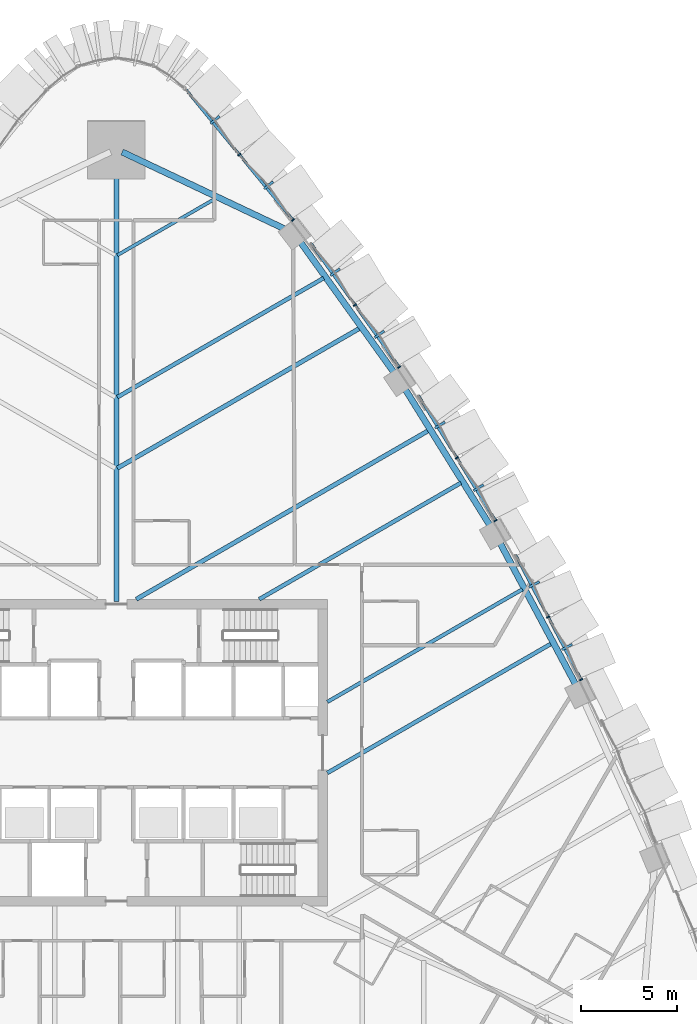
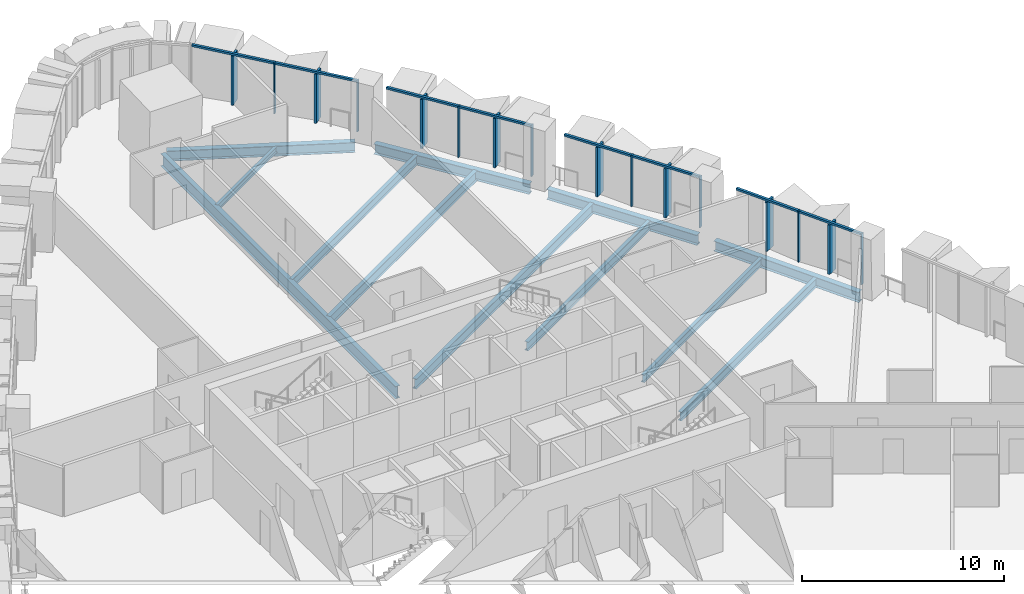
# One storey, part 7 of 27: 24 members, 12 beams, 4 elements without a shape of their own.
"""IFC4 building model written with IfcOpenShell, lengths in metres."""

from ifc_helpers import new_model, si_unit, direction, frame, origin, origin_2d, place, context, subcontext, project, spatial, rectangle, i_section, extrude, material, layer, layer_set, material_profile, profile_set, type_object, element, aggregate, save


model = new_model("IFC4")

# Units and contexts
model_context = context("Model", 3, precision=1e-05, world=origin(), true_north=direction((0.0, 1.0)))
body_context = subcontext(model_context, "Body", "Model", "MODEL_VIEW")
ifc_project = project(units=[si_unit("LENGTHUNIT", "METRE"), si_unit("AREAUNIT", "SQUARE_METRE"), si_unit("VOLUMEUNIT", "CUBIC_METRE"), si_unit("PLANEANGLEUNIT", "RADIAN"), si_unit("MASSUNIT", "GRAM", prefix="KILO")], contexts=[model_context])

# Site, building, storey
site_placement = place(None, origin())
site = spatial("IfcSite", under=ifc_project, at=site_placement, CompositionType="ELEMENT")
building_placement = place(site_placement, origin())
building = spatial("IfcBuilding", under=site, at=building_placement, Name="Sierra Prisma Convention Tower", CompositionType="ELEMENT")
storey_placement = place(building_placement, frame((0.0, 0.0, 48.0)))
storey = spatial("IfcBuildingStorey", under=building, at=storey_placement, Name="L07", CompositionType="ELEMENT", Elevation=48.0)

# Curtain wall, members
ifc_material_1 = material(Name="Aluminium and glass curtain wall", Category="aluminium")
ifc_layer = layer(ifc_material_1, 0.179931640625)
ifc_layer_set = layer_set([ifc_layer], Name="CW-2 Faceted crystal curtain wall")
curtain_wall_type = type_object("IfcCurtainWallType", Name="CW-2 Faceted crystal curtain wall", PredefinedType="NOTDEFINED", material=ifc_layer_set)
curtain_wall_1_placement = place(storey_placement, origin())
curtain_wall_1 = element("IfcCurtainWall", 1, at=curtain_wall_1_placement, inside=storey, type_object=curtain_wall_type, Name="CW-2 NE3 L07", PredefinedType="NOTDEFINED")
ifc_material_2 = material(Name="Aluminium 6063-T6 bronze anodised", Category="aluminium")
ifc_material_profile_1 = material_profile(ifc_material_2, rectangle(XDim=0.1201171875, YDim=0.60009765625, at=origin_2d()), Name="ALU RIDGE BLADE 120x600")
ifc_profile_set_1 = profile_set([ifc_material_profile_1], Name="Aluminium 6063-T6 bronze anodised")
member_type_1 = type_object("IfcMemberType", Name="CW hip bronze", PredefinedType="MULLION", material=ifc_profile_set_1)
member_1_placement = place(storey_placement, frame((23.49267578125, 5.51123046875, 0.0), z_axis=(0.0, 0.0, 1.0), x_axis=(-0.465430337346, 0.885084516347, 0.0)))
member_1 = element("IfcMember", 2, at=member_1_placement, type_object=member_type_1, Name="CW-2 ridge NE3.1", PredefinedType="MULLION", context=body_context, shape_type="SweptSolid", body=[
    extrude(rectangle(XDim=0.1201171875, YDim=0.60009765625, at=origin_2d()), origin(), (0.0, 0.0, 1.0), 2.97998046875),
])
member_2_placement = place(storey_placement, frame((21.777587890625, 8.77294921875, 0.0), z_axis=(0.0, 0.0, 1.0), x_axis=(-0.465430337346, 0.885084516347, 0.0)))
member_2 = element("IfcMember", 3, at=member_2_placement, type_object=member_type_1, Name="CW-2 ridge NE3.2", PredefinedType="MULLION", context=body_context, shape_type="SweptSolid", body=[
    extrude(rectangle(XDim=0.1201171875, YDim=0.60009765625, at=origin_2d()), origin(), (0.0, 0.0, 1.0), 2.97998046875),
])

curtain_wall_2_placement = place(storey_placement, origin())
curtain_wall_2 = element("IfcCurtainWall", 4, at=curtain_wall_2_placement, inside=storey, type_object=curtain_wall_type, Name="CW-2 NE4 L07", PredefinedType="NOTDEFINED")
member_3_placement = place(storey_placement, frame((18.8798828125, 13.81201171875, 0.0), z_axis=(0.0, 0.0, 1.0), x_axis=(-0.524223199508, 0.851580904611, 0.0)))
member_3 = element("IfcMember", 5, at=member_3_placement, type_object=member_type_1, Name="CW-2 ridge NE4.1", PredefinedType="MULLION", context=body_context, shape_type="SweptSolid", body=[
    extrude(rectangle(XDim=0.1201171875, YDim=0.60009765625, at=origin_2d()), origin(), (0.0, 0.0, 1.0), 2.97998046875),
])
member_4_placement = place(storey_placement, frame((16.8671875, 17.081298828125, 0.0), z_axis=(0.0, 0.0, 1.0), x_axis=(-0.524223199508, 0.851580904611, 0.0)))
member_4 = element("IfcMember", 6, at=member_4_placement, type_object=member_type_1, Name="CW-2 ridge NE4.2", PredefinedType="MULLION", context=body_context, shape_type="SweptSolid", body=[
    extrude(rectangle(XDim=0.1201171875, YDim=0.60009765625, at=origin_2d()), origin(), (0.0, 0.0, 1.0), 2.97998046875),
])

curtain_wall_3_placement = place(storey_placement, origin())
curtain_wall_3 = element("IfcCurtainWall", 7, at=curtain_wall_3_placement, inside=storey, type_object=curtain_wall_type, Name="CW-2 NE5 L07", PredefinedType="NOTDEFINED")
member_5_placement = place(storey_placement, frame((13.71337890625, 21.811279296875, 0.0), z_axis=(0.0, 0.0, 1.0), x_axis=(-0.580615595089, 0.814177825011, 0.0)))
member_5 = element("IfcMember", 8, at=member_5_placement, type_object=member_type_1, Name="CW-2 ridge NE5.1", PredefinedType="MULLION", context=body_context, shape_type="SweptSolid", body=[
    extrude(rectangle(XDim=0.1201171875, YDim=0.60009765625, at=origin_2d()), origin(), (0.0, 0.0, 1.0), 2.97998046875),
])
member_6_placement = place(storey_placement, frame((11.40478515625, 25.048583984375, 0.0), z_axis=(0.0, 0.0, 1.0), x_axis=(-0.580615595089, 0.814177825011, 0.0)))
member_6 = element("IfcMember", 9, at=member_6_placement, type_object=member_type_1, Name="CW-2 ridge NE5.2", PredefinedType="MULLION", context=body_context, shape_type="SweptSolid", body=[
    extrude(rectangle(XDim=0.1201171875, YDim=0.60009765625, at=origin_2d()), origin(), (0.0, 0.0, 1.0), 2.97998046875),
])

curtain_wall_4_placement = place(storey_placement, origin())
curtain_wall_4 = element("IfcCurtainWall", 10, at=curtain_wall_4_placement, inside=storey, type_object=curtain_wall_type, Name="CW-2 NE6 L07", PredefinedType="NOTDEFINED")
member_7_placement = place(storey_placement, frame((7.93896484375, 29.5791015625, 0.0), z_axis=(0.0, 0.0, 1.0), x_axis=(-0.634349298057, 0.773046549733, 0.0)))
member_7 = element("IfcMember", 11, at=member_7_placement, type_object=member_type_1, Name="CW-2 ridge NE6.1", PredefinedType="MULLION", context=body_context, shape_type="SweptSolid", body=[
    extrude(rectangle(XDim=0.1201171875, YDim=0.60009765625, at=origin_2d()), origin(), (0.0, 0.0, 1.0), 2.97998046875),
])
member_8_placement = place(storey_placement, frame((5.14208984375, 32.98779296875, 0.0), z_axis=(0.0, 0.0, 1.0), x_axis=(-0.634349298057, 0.773046549733, 0.0)))
member_8 = element("IfcMember", 12, at=member_8_placement, type_object=member_type_1, Name="CW-2 ridge NE6.2", PredefinedType="MULLION", context=body_context, shape_type="SweptSolid", body=[
    extrude(rectangle(XDim=0.1201171875, YDim=0.60009765625, at=origin_2d()), origin(), (0.0, 0.0, 1.0), 2.97998046875),
])

# Member
ifc_material_3 = material(Name="Aluminium 6063-T6 bronze anodised", Category="aluminium")
ifc_material_profile_2 = material_profile(ifc_material_3, rectangle(XDim=0.179931640625, YDim=0.070068359375, at=origin_2d()), Name="ALU MULLION 70x180")
ifc_profile_set_2 = profile_set([ifc_material_profile_2], Name="Aluminium 6063-T6 bronze anodised")
member_type_2 = type_object("IfcMemberType", Name="CW mullion bronze", PredefinedType="MULLION", material=ifc_profile_set_2)
member_9_placement = place(storey_placement, frame((24.224365234375, 3.814208984375, 0.0), z_axis=(0.0, 0.0, 1.0), x_axis=(-0.885084516347, -0.465430337346, 0.0)))
member_9 = element("IfcMember", 13, at=member_9_placement, type_object=member_type_2, Name="CW-1 mullion NE3.1", PredefinedType="MULLION", context=body_context, shape_type="SweptSolid", body=[
    extrude(rectangle(XDim=0.179931640625, YDim=0.070068359375, at=origin_2d()), origin(), (0.0, 0.0, 1.0), 3.10009765625),
])

member_10_placement = place(storey_placement, frame((22.50927734375, 7.075927734375, 0.0), z_axis=(0.0, 0.0, 1.0), x_axis=(-0.885084516347, -0.465430337346, 0.0)))
member_10 = element("IfcMember", 14, at=member_10_placement, type_object=member_type_2, Name="CW-1 mullion NE3.2", PredefinedType="MULLION", context=body_context, shape_type="SweptSolid", body=[
    extrude(rectangle(XDim=0.179931640625, YDim=0.070068359375, at=origin_2d()), origin(), (0.0, 0.0, 1.0), 3.10009765625),
])

member_11_placement = place(storey_placement, frame((19.759765625, 12.099609375, 0.0), z_axis=(0.0, 0.0, 1.0), x_axis=(-0.851580904611, -0.524223199508, 0.0)))
member_11 = element("IfcMember", 15, at=member_11_placement, type_object=member_type_2, Name="CW-1 mullion NE4.1", PredefinedType="MULLION", context=body_context, shape_type="SweptSolid", body=[
    extrude(rectangle(XDim=0.179931640625, YDim=0.070068359375, at=origin_2d()), origin(), (0.0, 0.0, 1.0), 3.10009765625),
])

member_12_placement = place(storey_placement, frame((17.747314453125, 15.368896484375, 0.0), z_axis=(0.0, 0.0, 1.0), x_axis=(-0.851580904611, -0.524223199508, 0.0)))
member_12 = element("IfcMember", 16, at=member_12_placement, type_object=member_type_2, Name="CW-1 mullion NE4.2", PredefinedType="MULLION", context=body_context, shape_type="SweptSolid", body=[
    extrude(rectangle(XDim=0.179931640625, YDim=0.070068359375, at=origin_2d()), origin(), (0.0, 0.0, 1.0), 3.10009765625),
])

member_13_placement = place(storey_placement, frame((14.742431640625, 20.103515625, 0.0), z_axis=(0.0, 0.0, 1.0), x_axis=(-0.814177825011, -0.580615595089, 0.0)))
member_13 = element("IfcMember", 17, at=member_13_placement, type_object=member_type_2, Name="CW-1 mullion NE5.1", PredefinedType="MULLION", context=body_context, shape_type="SweptSolid", body=[
    extrude(rectangle(XDim=0.179931640625, YDim=0.070068359375, at=origin_2d()), origin(), (0.0, 0.0, 1.0), 3.10009765625),
])

member_14_placement = place(storey_placement, frame((12.43408203125, 23.340576171875, 0.0), z_axis=(0.0, 0.0, 1.0), x_axis=(-0.814177825011, -0.580615595089, 0.0)))
member_14 = element("IfcMember", 18, at=member_14_placement, type_object=member_type_2, Name="CW-1 mullion NE5.2", PredefinedType="MULLION", context=body_context, shape_type="SweptSolid", body=[
    extrude(rectangle(XDim=0.179931640625, YDim=0.070068359375, at=origin_2d()), origin(), (0.0, 0.0, 1.0), 3.10009765625),
])

member_15_placement = place(storey_placement, frame((9.20556640625, 27.7666015625, 0.0), z_axis=(0.0, 0.0, 1.0), x_axis=(-0.773046549733, -0.634349298057, 0.0)))
member_15 = element("IfcMember", 19, at=member_15_placement, type_object=member_type_2, Name="CW-1 mullion NE6.1", PredefinedType="MULLION", context=body_context, shape_type="SweptSolid", body=[
    extrude(rectangle(XDim=0.179931640625, YDim=0.070068359375, at=origin_2d()), origin(), (0.0, 0.0, 1.0), 3.10009765625),
])

member_16_placement = place(storey_placement, frame((6.408447265625, 31.175048828125, 0.0), z_axis=(0.0, 0.0, 1.0), x_axis=(-0.773046549733, -0.634349298057, 0.0)))
member_16 = element("IfcMember", 20, at=member_16_placement, type_object=member_type_2, Name="CW-1 mullion NE6.2", PredefinedType="MULLION", context=body_context, shape_type="SweptSolid", body=[
    extrude(rectangle(XDim=0.179931640625, YDim=0.070068359375, at=origin_2d()), origin(), (0.0, 0.0, 1.0), 3.10009765625),
])

ifc_material_4 = material(Name="Aluminium 6063-T6 bronze anodised", Category="aluminium")
ifc_material_profile_3 = material_profile(ifc_material_4, rectangle(XDim=0.139892578125, YDim=0.1201171875, at=origin_2d()), Name="ALU TRANSOM 120x140")
ifc_profile_set_3 = profile_set([ifc_material_profile_3], Name="Aluminium 6063-T6 bronze anodised")
member_type_3 = type_object("IfcMemberType", Name="CW transom bronze", PredefinedType="USERDEFINED", material=ifc_profile_set_3)
member_17_placement = place(storey_placement, frame((24.2080078125, 3.84521484375, 3.0400390625), z_axis=(-0.465434669943, 0.885082237996, 0.0), x_axis=(-0.885082237996, -0.465434669943, 0.0)))
member_17 = element("IfcMember", 21, at=member_17_placement, type_object=member_type_3, Name="CW-1 transom NE3.1", ObjectType="TRANSOM", PredefinedType="USERDEFINED", context=body_context, shape_type="SweptSolid", body=[
    extrude(rectangle(XDim=0.139892578125, YDim=0.1201171875, at=origin_2d()), origin(), (0.0, 0.0, 1.0), 3.615234375),
])

member_18_placement = place(storey_placement, frame((22.492919921875, 7.10693359375, 3.0400390625), z_axis=(-0.465434669943, 0.885082237996, 0.0), x_axis=(-0.885082237996, -0.465434669943, 0.0)))
member_18 = element("IfcMember", 22, at=member_18_placement, type_object=member_type_3, Name="CW-1 transom NE3.2", ObjectType="TRANSOM", PredefinedType="USERDEFINED", context=body_context, shape_type="SweptSolid", body=[
    extrude(rectangle(XDim=0.139892578125, YDim=0.1201171875, at=origin_2d()), origin(), (0.0, 0.0, 1.0), 3.615234375),
])

aggregate(curtain_wall_1, [member_9, member_10, member_17, member_1, member_18, member_2])

member_19_placement = place(storey_placement, frame((19.741455078125, 12.12939453125, 3.0400390625), z_axis=(-0.524216682685, 0.851584916256, 0.0), x_axis=(-0.851584916256, -0.524216682685, 0.0)))
member_19 = element("IfcMember", 23, at=member_19_placement, type_object=member_type_3, Name="CW-1 transom NE4.1", ObjectType="TRANSOM", PredefinedType="USERDEFINED", context=body_context, shape_type="SweptSolid", body=[
    extrude(rectangle(XDim=0.139892578125, YDim=0.1201171875, at=origin_2d()), origin(), (0.0, 0.0, 1.0), 3.76904296875),
])

member_20_placement = place(storey_placement, frame((17.728759765625, 15.398681640625, 3.0400390625), z_axis=(-0.524216682685, 0.851584916256, 0.0), x_axis=(-0.851584916256, -0.524216682685, 0.0)))
member_20 = element("IfcMember", 24, at=member_20_placement, type_object=member_type_3, Name="CW-1 transom NE4.2", ObjectType="TRANSOM", PredefinedType="USERDEFINED", context=body_context, shape_type="SweptSolid", body=[
    extrude(rectangle(XDim=0.139892578125, YDim=0.1201171875, at=origin_2d()), origin(), (0.0, 0.0, 1.0), 3.76904296875),
])

aggregate(curtain_wall_2, [member_11, member_12, member_19, member_3, member_20, member_4])

member_21_placement = place(storey_placement, frame((14.72216796875, 20.132080078125, 3.0400390625), z_axis=(-0.580605369991, 0.814185116751, 0.0), x_axis=(-0.814185116751, -0.580605369991, 0.0)))
member_21 = element("IfcMember", 25, at=member_21_placement, type_object=member_type_3, Name="CW-1 transom NE5.1", ObjectType="TRANSOM", PredefinedType="USERDEFINED", context=body_context, shape_type="SweptSolid", body=[
    extrude(rectangle(XDim=0.139892578125, YDim=0.1201171875, at=origin_2d()), origin(), (0.0, 0.0, 1.0), 3.906005859375),
])

member_22_placement = place(storey_placement, frame((12.41357421875, 23.369140625, 3.0400390625), z_axis=(-0.580605369991, 0.814185116751, 0.0), x_axis=(-0.814185116751, -0.580605369991, 0.0)))
member_22 = element("IfcMember", 26, at=member_22_placement, type_object=member_type_3, Name="CW-1 transom NE5.2", ObjectType="TRANSOM", PredefinedType="USERDEFINED", context=body_context, shape_type="SweptSolid", body=[
    extrude(rectangle(XDim=0.139892578125, YDim=0.1201171875, at=origin_2d()), origin(), (0.0, 0.0, 1.0), 3.906005859375),
])

aggregate(curtain_wall_3, [member_13, member_14, member_21, member_5, member_22, member_6])

member_23_placement = place(storey_placement, frame((9.183349609375, 27.793701171875, 3.0400390625), z_axis=(-0.63435540853, 0.773041535539, 0.0), x_axis=(-0.773041535539, -0.63435540853, 0.0)))
member_23 = element("IfcMember", 27, at=member_23_placement, type_object=member_type_3, Name="CW-1 transom NE6.1", ObjectType="TRANSOM", PredefinedType="USERDEFINED", context=body_context, shape_type="SweptSolid", body=[
    extrude(rectangle(XDim=0.139892578125, YDim=0.1201171875, at=origin_2d()), origin(), (0.0, 0.0, 1.0), 4.33935546875),
])

member_24_placement = place(storey_placement, frame((6.38623046875, 31.2021484375, 3.0400390625), z_axis=(-0.634321784869, 0.773069125784, 0.0), x_axis=(-0.773069125784, -0.634321784869, 0.0)))
member_24 = element("IfcMember", 28, at=member_24_placement, type_object=member_type_3, Name="CW-1 transom NE6.2", ObjectType="TRANSOM", PredefinedType="USERDEFINED", context=body_context, shape_type="SweptSolid", body=[
    extrude(rectangle(XDim=0.139892578125, YDim=0.1201171875, at=origin_2d()), origin(), (0.0, 0.0, 1.0), 4.339111328125),
])

aggregate(curtain_wall_4, [member_15, member_16, member_23, member_7, member_24, member_8])

# Beams
ifc_material_5 = material(Name="Steel ASTM A992 Gr 50", Category="steel")
ifc_material_profile_4 = material_profile(ifc_material_5, i_section(OverallWidth=0.172119140625, OverallDepth=0.35791015625, WebThickness=0.0078125, FlangeThickness=0.01318359375, at=origin_2d()), Name="W360x57")
ifc_profile_set_4 = profile_set([ifc_material_profile_4], Name="Steel ASTM A992 Gr 50")
beam_type_1 = type_object("IfcBeamType", Name="Floor joist W360x57", PredefinedType="JOIST", material=ifc_profile_set_4)
beam_1_placement = place(storey_placement, frame((5.1552734375, 28.88134765625, -0.3291015625), z_axis=(-0.866026180301, -0.499998655032, 0.0), x_axis=(0.499998655032, -0.866026180301, 0.0)))
element("IfcBeam", 29, at=beam_1_placement, inside=storey, type_object=beam_type_1, Name="Floor joist L07 NE16", PredefinedType="JOIST", context=body_context, shape_type="SweptSolid", body=[
    extrude(i_section(OverallWidth=0.172119140625, OverallDepth=0.35791015625, WebThickness=0.0078125, FlangeThickness=0.01318359375, at=origin_2d()), origin(), (0.0, 0.0, 1.0), 5.8916015625),
])
ifc_material_6 = material(Name="Steel ASTM A992 Gr 50", Category="steel")
ifc_material_profile_5 = material_profile(ifc_material_6, i_section(OverallWidth=0.18994140625, OverallDepth=0.45703125, WebThickness=0.009033203125, FlangeThickness=0.014404296875, at=origin_2d()), Name="W460x74")
ifc_profile_set_5 = profile_set([ifc_material_profile_5], Name="Steel ASTM A992 Gr 50")
beam_type_2 = type_object("IfcBeamType", Name="Floor joist W460x74", PredefinedType="JOIST", material=ifc_profile_set_5)
beam_2_placement = place(storey_placement, frame((21.16259765625, 8.517578125, -0.37841796875), z_axis=(-0.866023442616, -0.500003396829, 0.0), x_axis=(0.500003396829, -0.866023442616, 0.0)))
element("IfcBeam", 30, at=beam_2_placement, inside=storey, type_object=beam_type_2, Name="Floor joist L07 NE08", PredefinedType="JOIST", context=body_context, shape_type="SweptSolid", body=[
    extrude(i_section(OverallWidth=0.18994140625, OverallDepth=0.45703125, WebThickness=0.009033203125, FlangeThickness=0.014404296875, at=origin_2d()), origin(), (0.0, 0.0, 1.0), 11.73486328125),
])
ifc_material_7 = material(Name="Steel ASTM A992 Gr 50", Category="steel")
ifc_material_profile_6 = material_profile(ifc_material_7, i_section(OverallWidth=0.208984375, OverallDepth=0.532958984375, WebThickness=0.01025390625, FlangeThickness=0.015625, at=origin_2d()), Name="W530x92")
ifc_profile_set_6 = profile_set([ifc_material_profile_6], Name="Steel ASTM A992 Gr 50")
beam_type_3 = type_object("IfcBeamType", Name="Floor joist W530x92", PredefinedType="JOIST", material=ifc_profile_set_6)
beam_3_placement = place(storey_placement, frame((22.673828125, 5.689208984375, -0.41650390625), z_axis=(-0.866029956157, -0.499992114976, 0.0), x_axis=(0.499992114976, -0.866029956157, 0.0)))
element("IfcBeam", 31, at=beam_3_placement, inside=storey, type_object=beam_type_3, Name="Floor joist L07 NE07", PredefinedType="JOIST", context=body_context, shape_type="SweptSolid", body=[
    extrude(i_section(OverallWidth=0.208984375, OverallDepth=0.532958984375, WebThickness=0.01025390625, FlangeThickness=0.015625, at=origin_2d()), origin(), (0.0, 0.0, 1.0), 13.479736328125),
])
beam_4_placement = place(storey_placement, frame((17.957763671875, 14.068603515625, -0.41650390625), z_axis=(-0.866027481025, -0.499996402096, 0.0), x_axis=(0.499996402096, -0.866027481025, 0.0)))
element("IfcBeam", 32, at=beam_4_placement, inside=storey, type_object=beam_type_3, Name="Floor joist L07 NE10", PredefinedType="JOIST", context=body_context, shape_type="SweptSolid", body=[
    extrude(i_section(OverallWidth=0.208984375, OverallDepth=0.532958984375, WebThickness=0.01025390625, FlangeThickness=0.015625, at=origin_2d()), origin(), (0.0, 0.0, 1.0), 12.13720703125),
])
beam_5_placement = place(storey_placement, frame((10.803955078125, 24.7412109375, -0.41650390625), z_axis=(-0.866027076738, -0.499997102348, 0.0), x_axis=(0.499997102348, -0.866027076738, 0.0)))
element("IfcBeam", 33, at=beam_5_placement, inside=storey, type_object=beam_type_3, Name="Floor joist L07 NE14", PredefinedType="JOIST", context=body_context, shape_type="SweptSolid", body=[
    extrude(i_section(OverallWidth=0.208984375, OverallDepth=0.532958984375, WebThickness=0.01025390625, FlangeThickness=0.015625, at=origin_2d()), origin(), (0.0, 0.0, 1.0), 12.4140625),
])
ifc_material_8 = material(Name="Steel ASTM A992 Gr 50", Category="steel")
ifc_material_profile_7 = material_profile(ifc_material_8, i_section(OverallWidth=0.22802734375, OverallDepth=0.60302734375, WebThickness=0.010498046875, FlangeThickness=0.014892578125, at=origin_2d()), Name="W610x101")
ifc_profile_set_7 = profile_set([ifc_material_profile_7], Name="Steel ASTM A992 Gr 50")
beam_type_4 = type_object("IfcBeamType", Name="Floor joist W610x101", PredefinedType="JOIST", material=ifc_profile_set_7)
beam_6_placement = place(storey_placement, frame((16.263916015625, 16.79150390625, -0.451416015625), z_axis=(-0.86602488455, -0.500000899339, 0.0), x_axis=(0.500000899339, -0.86602488455, 0.0)))
element("IfcBeam", 34, at=beam_6_placement, inside=storey, type_object=beam_type_4, Name="Floor joist L07 NE11", PredefinedType="JOIST", context=body_context, shape_type="SweptSolid", body=[
    extrude(i_section(OverallWidth=0.22802734375, OverallDepth=0.60302734375, WebThickness=0.010498046875, FlangeThickness=0.014892578125, at=origin_2d()), origin(), (0.0, 0.0, 1.0), 17.5830078125),
])
beam_7_placement = place(storey_placement, frame((12.68115234375, 22.124267578125, -0.451416015625), z_axis=(-0.86602861311, -0.499994441243, 0.0), x_axis=(0.499994441243, -0.86602861311, 0.0)))
element("IfcBeam", 35, at=beam_7_placement, inside=storey, type_object=beam_type_4, Name="Floor joist L07 NE13", PredefinedType="JOIST", context=body_context, shape_type="SweptSolid", body=[
    extrude(i_section(OverallWidth=0.22802734375, OverallDepth=0.60302734375, WebThickness=0.010498046875, FlangeThickness=0.014892578125, at=origin_2d()), origin(), (0.0, 0.0, 1.0), 14.581787109375),
])
ifc_material_9 = material(Name="Steel ASTM A992 Gr 50", Category="steel")
ifc_material_profile_8 = material_profile(ifc_material_9, i_section(OverallWidth=0.264892578125, OverallDepth=0.7529296875, WebThickness=0.01318359375, FlangeThickness=0.01708984375, at=origin_2d()), Name="W760x147")
ifc_profile_set_8 = profile_set([ifc_material_profile_8], Name="Steel ASTM A992 Gr 50")
beam_type_5 = type_object("IfcBeamType", Name="Radial girder W760x147", PredefinedType="BEAM", material=ifc_profile_set_8)
beam_8_placement = place(storey_placement, frame((0.0, 31.156005859375, -0.526611328125), z_axis=(0.0, -1.0, 0.0), x_axis=(1.0, 0.0, 0.0)))
element("IfcBeam", 36, at=beam_8_placement, inside=storey, type_object=beam_type_5, Name="Radial girder L07 N", PredefinedType="BEAM", context=body_context, shape_type="SweptSolid", body=[
    extrude(i_section(OverallWidth=0.264892578125, OverallDepth=0.7529296875, WebThickness=0.01318359375, FlangeThickness=0.01708984375, at=origin_2d()), origin(), (0.0, 0.0, 1.0), 23.276123046875),
])
ifc_material_10 = material(Name="Steel ASTM A992 Gr 50", Category="steel")
ifc_material_profile_9 = material_profile(ifc_material_10, i_section(OverallWidth=0.324951171875, OverallDepth=0.615966796875, WebThickness=0.013916015625, FlangeThickness=0.021484375, at=origin_2d()), Name="W610x174")
ifc_profile_set_9 = profile_set([ifc_material_profile_9], Name="Steel ASTM A992 Gr 50")
beam_type_6 = type_object("IfcBeamType", Name="Spandrel beam W610x174", PredefinedType="BEAM", material=ifc_profile_set_9)
beam_9_placement = place(storey_placement, frame((23.96484375, 3.51171875, -0.4580078125), z_axis=(-0.471251190112, 0.881999045248, 0.0), x_axis=(-0.881999045248, -0.471251190112, 0.0)))
element("IfcBeam", 37, at=beam_9_placement, inside=storey, type_object=beam_type_6, Name="Spandrel L07-09", PredefinedType="BEAM", context=body_context, shape_type="SweptSolid", body=[
    extrude(i_section(OverallWidth=0.324951171875, OverallDepth=0.615966796875, WebThickness=0.013916015625, FlangeThickness=0.021484375, at=origin_2d()), origin(), (0.0, 0.0, 1.0), 8.4658203125),
])
beam_10_placement = place(storey_placement, frame((19.495361328125, 11.81005859375, -0.4580078125), z_axis=(-0.528216876059, 0.849109493438, 0.0), x_axis=(-0.849109493438, -0.528216876059, 0.0)))
element("IfcBeam", 38, at=beam_10_placement, inside=storey, type_object=beam_type_6, Name="Spandrel L07-10", PredefinedType="BEAM", context=body_context, shape_type="SweptSolid", body=[
    extrude(i_section(OverallWidth=0.324951171875, OverallDepth=0.615966796875, WebThickness=0.013916015625, FlangeThickness=0.021484375, at=origin_2d()), origin(), (0.0, 0.0, 1.0), 8.465576171875),
])
beam_11_placement = place(storey_placement, frame((14.489990234375, 19.79638671875, -0.4580078125), z_axis=(-0.582917395344, 0.812531421057, 0.0), x_axis=(-0.812531421057, -0.582917395344, 0.0)))
element("IfcBeam", 39, at=beam_11_placement, inside=storey, type_object=beam_type_6, Name="Spandrel L07-11", PredefinedType="BEAM", context=body_context, shape_type="SweptSolid", body=[
    extrude(i_section(OverallWidth=0.324951171875, OverallDepth=0.615966796875, WebThickness=0.013916015625, FlangeThickness=0.021484375, at=origin_2d()), origin(), (0.0, 0.0, 1.0), 8.4658203125),
])
beam_12_placement = place(storey_placement, frame((8.7744140625, 27.302490234375, -0.4580078125), z_axis=(-0.903839082857, 0.42787254212, 0.0), x_axis=(-0.42787254212, -0.903839082857, 0.0)))
element("IfcBeam", 40, at=beam_12_placement, inside=storey, type_object=beam_type_6, Name="Spandrel L07-12", PredefinedType="BEAM", context=body_context, shape_type="SweptSolid", body=[
    extrude(i_section(OverallWidth=0.324951171875, OverallDepth=0.615966796875, WebThickness=0.013916015625, FlangeThickness=0.021484375, at=origin_2d()), origin(), (0.0, 0.0, 1.0), 9.3759765625),
])

save(model, "model.ifc")
